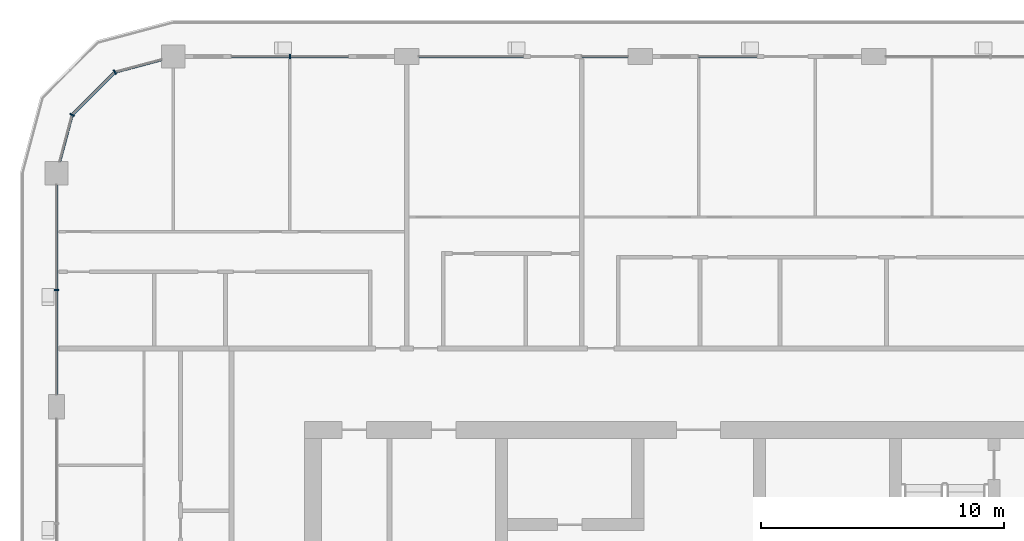
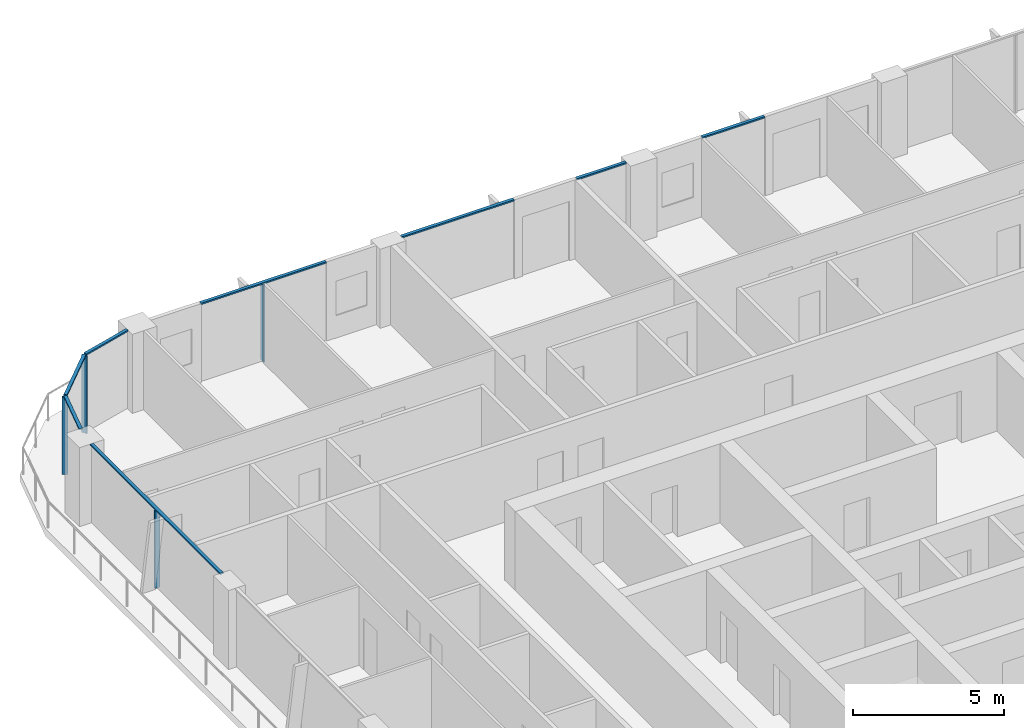
# One storey, part 5 of 23: 12 members, 5 elements without a shape of their own.
"""IFC4 building model written with IfcOpenShell, lengths in metres."""

from ifc_helpers import new_model, si_unit, direction, frame, origin, origin_2d, place, context, subcontext, project, spatial, rectangle, extrude, material, layer, layer_set, material_profile, profile_set, type_object, element, aggregate, save


model = new_model("IFC4")

# Units and contexts
model_context = context("Model", 3, precision=1e-05, world=origin(), true_north=direction((0.0, 1.0)))
body_context = subcontext(model_context, "Body", "Model", "MODEL_VIEW")
ifc_project = project(units=[si_unit("LENGTHUNIT", "METRE"), si_unit("AREAUNIT", "SQUARE_METRE"), si_unit("VOLUMEUNIT", "CUBIC_METRE"), si_unit("PLANEANGLEUNIT", "RADIAN"), si_unit("MASSUNIT", "GRAM", prefix="KILO")], contexts=[model_context])

# Site, building, storey
site_placement = place(None, origin())
site = spatial("IfcSite", under=ifc_project, at=site_placement, CompositionType="ELEMENT")
building_placement = place(site_placement, origin())
building = spatial("IfcBuilding", under=site, at=building_placement, Name="Madar Terraces", CompositionType="ELEMENT")
storey_placement = place(building_placement, frame((0.0, 0.0, 219.300048828125)))
storey = spatial("IfcBuildingStorey", under=building, at=storey_placement, Name="L57", CompositionType="ELEMENT", Elevation=219.300048828125)

# Curtain wall, member
ifc_material_1 = material(Name="Glass, ceramic frit dark grey, with black aluminium frame", Category="aluminium")
ifc_layer = layer(ifc_material_1, 0.199951171875)
ifc_layer_set = layer_set([ifc_layer], Name="Facade curtain wall, fritted glass")
curtain_wall_type = type_object("IfcCurtainWallType", Name="Facade curtain wall, fritted glass", PredefinedType="NOTDEFINED", material=ifc_layer_set)
curtain_wall_1_placement = place(storey_placement, origin())
curtain_wall_1 = element("IfcCurtainWall", 1, at=curtain_wall_1_placement, inside=storey, type_object=curtain_wall_type, Name="Outer skin curtain wall north bay 5", PredefinedType="NOTDEFINED")
ifc_material_2 = material(Name="Aluminium, black anodised", Category="aluminium")
ifc_material_profile_1 = material_profile(ifc_material_2, rectangle(XDim=0.199951171875, YDim=0.06005859375, at=origin_2d()), Name="Facade mullion 60x200")
ifc_profile_set_1 = profile_set([ifc_material_profile_1], Name="Aluminium, black anodised")
member_type_1 = type_object("IfcMemberType", Name="Facade mullion 60x200", PredefinedType="MULLION", material=ifc_profile_set_1)
member_1_placement = place(storey_placement, frame((14.39990234375, 52.800048828125, 0.0), z_axis=(0.0, 0.0, 1.0), x_axis=(0.0, -1.0, 0.0)))
member_1 = element("IfcMember", 2, at=member_1_placement, type_object=member_type_1, Name="Mullion 1", PredefinedType="MULLION", context=body_context, shape_type="SweptSolid", body=[
    extrude(rectangle(XDim=0.199951171875, YDim=0.06005859375, at=origin_2d()), origin(), (0.0, 0.0, 1.0), 3.139892578125),
])

curtain_wall_2_placement = place(storey_placement, origin())
curtain_wall_2 = element("IfcCurtainWall", 3, at=curtain_wall_2_placement, inside=storey, type_object=curtain_wall_type, Name="Outer skin curtain wall west bay 1", PredefinedType="NOTDEFINED")
member_2_placement = place(storey_placement, frame((4.800048828125, 43.199951171875, 0.0), z_axis=(0.0, 0.0, 1.0), x_axis=(1.0, 0.0, 0.0)))
member_2 = element("IfcMember", 4, at=member_2_placement, type_object=member_type_1, Name="Mullion 1", PredefinedType="MULLION", context=body_context, shape_type="SweptSolid", body=[
    extrude(rectangle(XDim=0.199951171875, YDim=0.06005859375, at=origin_2d()), origin(), (0.0, 0.0, 1.0), 3.139892578125),
])

# Curtain wall, members
curtain_wall_3_placement = place(storey_placement, origin())
curtain_wall_3 = element("IfcCurtainWall", 5, at=curtain_wall_3_placement, inside=storey, type_object=curtain_wall_type, Name="Outer skin curtain wall north-west corner", PredefinedType="NOTDEFINED")
member_3_placement = place(storey_placement, frame((7.199951171875, 52.156982421875, 0.0), z_axis=(0.0, 0.0, 1.0), x_axis=(0.499999989586, -0.866025409797, 0.0)))
member_3 = element("IfcMember", 6, at=member_3_placement, type_object=member_type_1, Name="Mullion 1", PredefinedType="MULLION", context=body_context, shape_type="SweptSolid", body=[
    extrude(rectangle(XDim=0.199951171875, YDim=0.06005859375, at=origin_2d()), origin(), (0.0, 0.0, 1.0), 3.139892578125),
])
member_4_placement = place(storey_placement, frame((5.443115234375, 50.39990234375, 0.0), z_axis=(0.0, 0.0, 1.0), x_axis=(0.866025409797, -0.499999989586, 0.0)))
member_4 = element("IfcMember", 7, at=member_4_placement, type_object=member_type_1, Name="Mullion 2", PredefinedType="MULLION", context=body_context, shape_type="SweptSolid", body=[
    extrude(rectangle(XDim=0.199951171875, YDim=0.06005859375, at=origin_2d()), origin(), (0.0, 0.0, 1.0), 3.139892578125),
])

# Curtain wall, member
curtain_wall_4_placement = place(storey_placement, origin())
curtain_wall_4 = element("IfcCurtainWall", 8, at=curtain_wall_4_placement, inside=storey, type_object=curtain_wall_type, Name="Outer skin curtain wall north bay 3", PredefinedType="NOTDEFINED")
ifc_material_3 = material(Name="Aluminium, black anodised", Category="aluminium")
ifc_material_profile_2 = material_profile(ifc_material_3, rectangle(XDim=0.1201171875, YDim=0.06005859375, at=origin_2d()), Name="Facade transom 60x120")
ifc_profile_set_2 = profile_set([ifc_material_profile_2], Name="Aluminium, black anodised")
member_type_2 = type_object("IfcMemberType", Name="Facade transom 60x120", PredefinedType="USERDEFINED", material=ifc_profile_set_2)
member_5_placement = place(storey_placement, frame((33.60009765625, 52.800048828125, 3.169921875), z_axis=(-1.0, 0.0, 0.0), x_axis=(0.0, -1.0, 0.0)))
member_5 = element("IfcMember", 9, at=member_5_placement, type_object=member_type_2, Name="Transom 1", ObjectType="TRANSOM", PredefinedType="USERDEFINED", context=body_context, shape_type="SweptSolid", body=[
    extrude(rectangle(XDim=0.1201171875, YDim=0.06005859375, at=origin_2d()), origin(), (0.0, 0.0, 1.0), 2.400146484375),
])
aggregate(curtain_wall_4, [member_5])

# Curtain wall, members
curtain_wall_5_placement = place(storey_placement, origin())
curtain_wall_5 = element("IfcCurtainWall", 10, at=curtain_wall_5_placement, inside=storey, type_object=curtain_wall_type, Name="Outer skin curtain wall north bay 4", PredefinedType="NOTDEFINED")
member_6_placement = place(storey_placement, frame((28.300048828125, 52.800048828125, 3.169921875), z_axis=(-1.0, 0.0, 0.0), x_axis=(0.0, -1.0, 0.0)))
member_6 = element("IfcMember", 11, at=member_6_placement, type_object=member_type_2, Name="Transom 1", ObjectType="TRANSOM", PredefinedType="USERDEFINED", context=body_context, shape_type="SweptSolid", body=[
    extrude(rectangle(XDim=0.1201171875, YDim=0.06005859375, at=origin_2d()), origin(), (0.0, 0.0, 1.0), 1.900146484375),
])
member_7_placement = place(storey_placement, frame((24.0, 52.800048828125, 3.169921875), z_axis=(-1.0, 0.0, 0.0), x_axis=(0.0, -1.0, 0.0)))
member_7 = element("IfcMember", 12, at=member_7_placement, type_object=member_type_2, Name="Transom 2", ObjectType="TRANSOM", PredefinedType="USERDEFINED", context=body_context, shape_type="SweptSolid", body=[
    extrude(rectangle(XDim=0.1201171875, YDim=0.06005859375, at=origin_2d()), origin(), (0.0, 0.0, 1.0), 4.300048828125),
])
aggregate(curtain_wall_5, [member_6, member_7])

# Member
member_8_placement = place(storey_placement, frame((16.800048828125, 52.800048828125, 3.169921875), z_axis=(-1.0, 0.0, 0.0), x_axis=(0.0, -1.0, 0.0)))
member_8 = element("IfcMember", 13, at=member_8_placement, type_object=member_type_2, Name="Transom 1", ObjectType="TRANSOM", PredefinedType="USERDEFINED", context=body_context, shape_type="SweptSolid", body=[
    extrude(rectangle(XDim=0.1201171875, YDim=0.06005859375, at=origin_2d()), origin(), (0.0, 0.0, 1.0), 4.800048828125),
])

aggregate(curtain_wall_1, [member_1, member_8])

member_9_placement = place(storey_placement, frame((4.800048828125, 47.52490234375, 3.169921875), z_axis=(0.0, -1.0, 0.0), x_axis=(1.0, 0.0, 0.0)))
member_9 = element("IfcMember", 14, at=member_9_placement, type_object=member_type_2, Name="Transom 1", ObjectType="TRANSOM", PredefinedType="USERDEFINED", context=body_context, shape_type="SweptSolid", body=[
    extrude(rectangle(XDim=0.1201171875, YDim=0.06005859375, at=origin_2d()), origin(), (0.0, 0.0, 1.0), 8.625),
])

aggregate(curtain_wall_2, [member_2, member_9])

member_10_placement = place(storey_placement, frame((9.125, 52.672607421875, 3.169921875), z_axis=(-0.965953602414, -0.258715360935, 0.0), x_axis=(0.258715360935, -0.965953602414, 0.0)))
member_10 = element("IfcMember", 15, at=member_10_placement, type_object=member_type_2, Name="Transom 1", ObjectType="TRANSOM", PredefinedType="USERDEFINED", context=body_context, shape_type="SweptSolid", body=[
    extrude(rectangle(XDim=0.1201171875, YDim=0.06005859375, at=origin_2d()), origin(), (0.0, 0.0, 1.0), 1.962890625),
])

member_11_placement = place(storey_placement, frame((7.1787109375, 52.1357421875, 3.169921875), z_axis=(-0.707056433593, -0.707157125196, 0.0), x_axis=(0.707157125196, -0.707056433593, 0.0)))
member_11 = element("IfcMember", 16, at=member_11_placement, type_object=member_type_2, Name="Transom 2", ObjectType="TRANSOM", PredefinedType="USERDEFINED", context=body_context, shape_type="SweptSolid", body=[
    extrude(rectangle(XDim=0.1201171875, YDim=0.06005859375, at=origin_2d()), origin(), (0.0, 0.0, 1.0), 2.424560546875),
])

member_12_placement = place(storey_placement, frame((5.435302734375, 50.37109375, 3.169921875), z_axis=(-0.258831412352, -0.96592251241, 0.0), x_axis=(0.96592251241, -0.258831412352, 0.0)))
member_12 = element("IfcMember", 17, at=member_12_placement, type_object=member_type_2, Name="Transom 3", ObjectType="TRANSOM", PredefinedType="USERDEFINED", context=body_context, shape_type="SweptSolid", body=[
    extrude(rectangle(XDim=0.1201171875, YDim=0.06005859375, at=origin_2d()), origin(), (0.0, 0.0, 1.0), 1.962890625),
])

aggregate(curtain_wall_3, [member_3, member_10, member_4, member_11, member_12])

save(model, "model.ifc")
